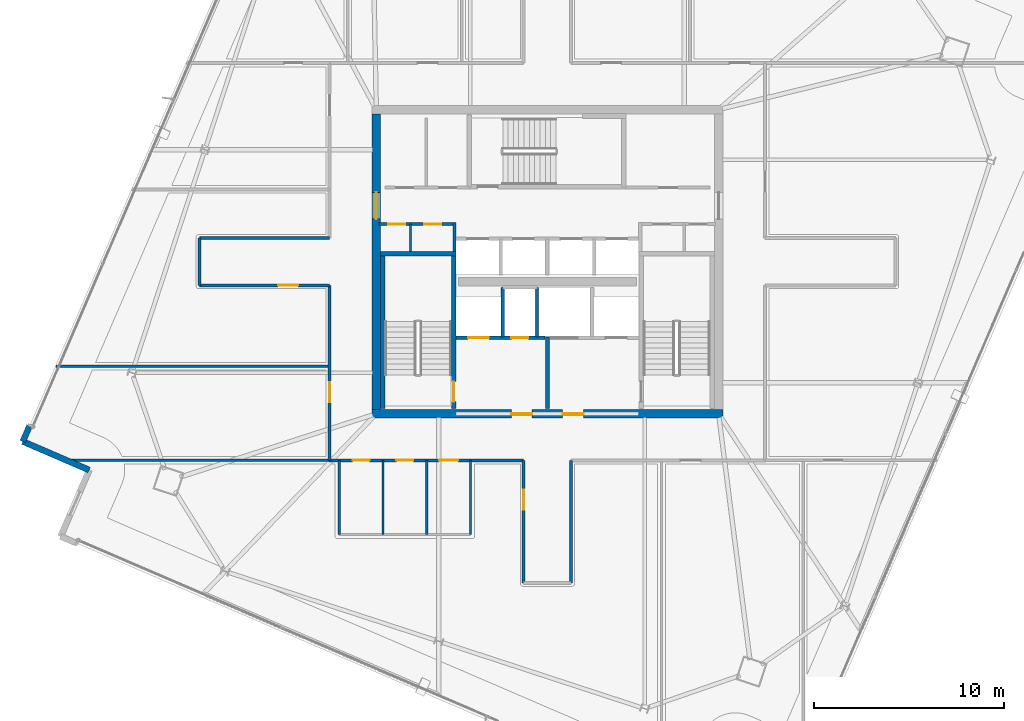
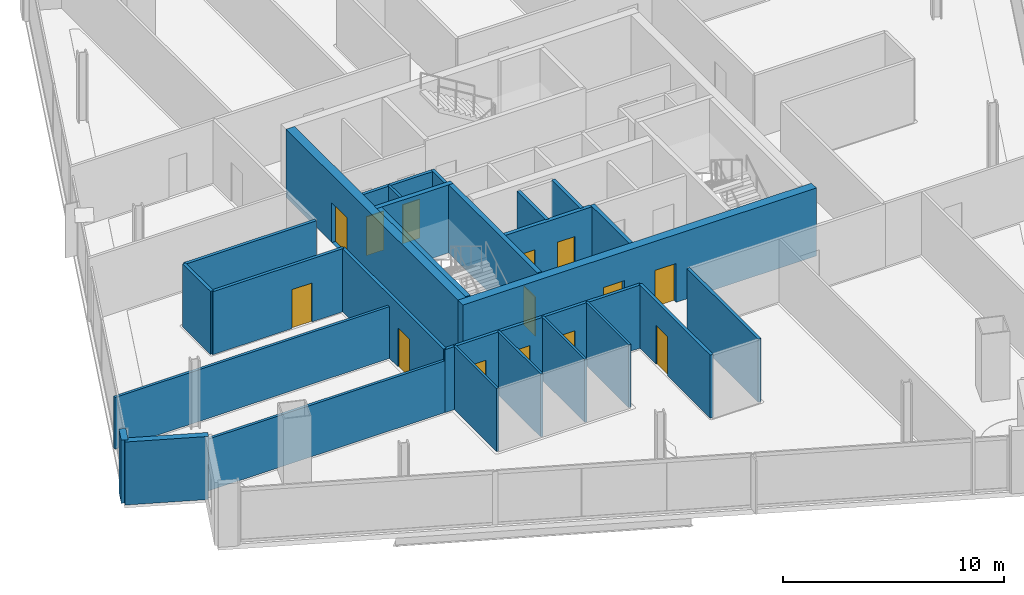
# One storey, part 20 of 28: 27 walls, 14 doors, 14 openings.
"""IFC4 building model written with IfcOpenShell, lengths in metres."""

from ifc_helpers import new_model, si_unit, direction, frame, frame_2d, origin, place, context, subcontext, project, spatial, rectangle, extrude, material, layer, layer_set, type_object, element, fill, save


model = new_model("IFC4")

# Units and contexts
model_context = context("Model", 3, precision=1e-05, world=origin(), true_north=direction((0.0, 1.0)))
body_context = subcontext(model_context, "Body", "Model", "MODEL_VIEW")
ifc_project = project(units=[si_unit("LENGTHUNIT", "METRE"), si_unit("AREAUNIT", "SQUARE_METRE"), si_unit("VOLUMEUNIT", "CUBIC_METRE"), si_unit("PLANEANGLEUNIT", "RADIAN"), si_unit("MASSUNIT", "GRAM", prefix="KILO")], contexts=[model_context])

# Site, building, storey
site_placement = place(None, origin())
site = spatial("IfcSite", under=ifc_project, at=site_placement, CompositionType="ELEMENT")
building_placement = place(site_placement, origin())
building = spatial("IfcBuilding", under=site, at=building_placement, Name="Haldenkirk Collegiate Tower", CompositionType="ELEMENT")
storey_placement = place(building_placement, frame((0.0, 0.0, 252.449951171875)))
storey = spatial("IfcBuildingStorey", under=building, at=storey_placement, Name="L63", CompositionType="ELEMENT", Elevation=252.449951171875)

# Wall, openings, doors
ifc_material_1 = material(Name="Concrete f'c 55 MPa", Category="concrete")
ifc_layer_1 = layer(ifc_material_1, 0.449951171875)
ifc_layer_set_1 = layer_set([ifc_layer_1], Name="Concrete f'c 55 MPa")
wall_type_1 = type_object("IfcWallType", Name="WL-CORE-450", PredefinedType="SHEAR", material=ifc_layer_set_1)
wall_1_placement = place(storey_placement, frame((26.77490234375, 18.0, 0.0), z_axis=(0.0, 0.0, 1.0), x_axis=(1.0, 0.0, 0.0)))
wall_1 = element("IfcWall", 1, at=wall_1_placement, inside=storey, type_object=wall_type_1, Name="L63 central core shear wall S", PredefinedType="SHEAR", context=body_context, shape_type="SweptSolid", body=[
    extrude(rectangle(XDim=18.4501953125, YDim=0.449951171875, at=frame_2d((9.22509765625, 0.0))), origin(), (0.0, 0.0, 1.0), 3.75),
])
opening_1_placement = place(wall_1_placement, frame((7.324951171875, 0.0, 0.0)))
opening_1 = element("IfcOpeningElement", 2, at=opening_1_placement, cuts=wall_1, Name="Opening D-02", PredefinedType="OPENING", context=body_context, shape_type="SweptSolid", body=[
    extrude(rectangle(XDim=1.10009765625, YDim=2.14990234375, at=frame_2d((0.550048828125, 1.074951171875))), frame((0.0, 0.23486328125, 0.0), z_axis=(0.0, -1.0, 0.0), x_axis=(1.0, 0.0, 0.0)), (0.0, 0.0, 1.0), 0.469970703125),
])
opening_2_placement = place(wall_1_placement, frame((10.02490234375, 0.0, 0.0)))
opening_2 = element("IfcOpeningElement", 3, at=opening_2_placement, cuts=wall_1, Name="Opening D-02", PredefinedType="OPENING", context=body_context, shape_type="SweptSolid", body=[
    extrude(rectangle(XDim=1.10009765625, YDim=2.14990234375, at=frame_2d((0.550048828125, 1.074951171875))), frame((0.0, 0.23486328125, 0.0), z_axis=(0.0, -1.0, 0.0), x_axis=(1.0, 0.0, 0.0)), (0.0, 0.0, 1.0), 0.469970703125),
])
ifc_material_2 = material(Name="Galvanized fire-rated hollow steel door", Category="steel")
ifc_layer_2 = layer(ifc_material_2, 0.06005859375)
ifc_layer_set_2 = layer_set([ifc_layer_2], Name="Galvanized fire-rated hollow steel door")
door_type_1 = type_object("IfcDoorType", Name="DR-STAIR-FD90-1100", OperationType="NOTDEFINED", PredefinedType="DOOR", material=ifc_layer_set_2)
door_1_placement = place(opening_1_placement, origin())
door_1 = element("IfcDoor", 4, at=door_1_placement, inside=storey, type_object=door_type_1, Name="L63 Firefighting Lobby 1 door", OperationType="SINGLE_SWING_LEFT", OverallHeight=2.14990234375, OverallWidth=1.10009765625, PredefinedType="DOOR", context=body_context, shape_type="SweptSolid", body=[
    extrude(rectangle(XDim=1.10009765625, YDim=2.14990234375, at=frame_2d((0.550048828125, 1.074951171875))), frame((0.0, 0.02490234375, 0.0), z_axis=(0.0, -1.0, 0.0), x_axis=(1.0, 0.0, 0.0)), (0.0, 0.0, 1.0), 0.050048828125),
])
fill(opening_1, door_1)
door_2_placement = place(opening_2_placement, origin())
door_2 = element("IfcDoor", 5, at=door_2_placement, inside=storey, type_object=door_type_1, Name="L63 Firefighting Lobby 2 door", OperationType="SINGLE_SWING_RIGHT", OverallHeight=2.14990234375, OverallWidth=1.10009765625, PredefinedType="DOOR", context=body_context, shape_type="SweptSolid", body=[
    extrude(rectangle(XDim=1.10009765625, YDim=2.14990234375, at=frame_2d((0.550048828125, 1.074951171875))), frame((0.0, 0.02490234375, 0.0), z_axis=(0.0, -1.0, 0.0), x_axis=(1.0, 0.0, 0.0)), (0.0, 0.0, 1.0), 0.050048828125),
])
fill(opening_2, door_2)

# Wall, opening, door
wall_2_placement = place(storey_placement, frame((27.0, 18.22509765625, 0.0), z_axis=(0.0, 0.0, 1.0), x_axis=(0.0, 1.0, 0.0)))
wall_2 = element("IfcWall", 6, at=wall_2_placement, inside=storey, type_object=wall_type_1, Name="L63 central core shear wall W", PredefinedType="SHEAR", context=body_context, shape_type="SweptSolid", body=[
    extrude(rectangle(XDim=15.5498046875, YDim=0.449951171875, at=frame_2d((7.77490234375, 0.0))), origin(), (0.0, 0.0, 1.0), 3.75),
])
opening_3_placement = place(wall_2_placement, frame((10.014892578125, 0.0, 0.0)))
opening_3 = element("IfcOpeningElement", 7, at=opening_3_placement, cuts=wall_2, Name="Opening D-03", PredefinedType="OPENING", context=body_context, shape_type="SweptSolid", body=[
    extrude(rectangle(XDim=1.39990234375, YDim=2.199951171875, at=frame_2d((0.699951171875, 1.10009765625))), frame((0.0, 0.23486328125, 0.0), z_axis=(0.0, -1.0, 0.0), x_axis=(1.0, 0.0, 0.0)), (0.0, 0.0, 1.0), 0.469970703125),
])
ifc_layer_3 = layer(ifc_material_2, 0.06005859375)
ifc_layer_set_3 = layer_set([ifc_layer_3], Name="Galvanized fire-rated hollow steel door")
door_type_2 = type_object("IfcDoorType", Name="DR-LOBBY-FD90-1400", OperationType="NOTDEFINED", PredefinedType="DOOR", material=ifc_layer_set_3)
door_3_placement = place(opening_3_placement, origin())
door_3 = element("IfcDoor", 8, at=door_3_placement, inside=storey, type_object=door_type_2, Name="L63 west lift lobby portal", OperationType="DOUBLE_DOOR_SINGLE_SWING", OverallHeight=2.199951171875, OverallWidth=1.39990234375, PredefinedType="DOOR", context=body_context, shape_type="SweptSolid", body=[
    extrude(rectangle(XDim=1.39990234375, YDim=2.199951171875, at=frame_2d((0.699951171875, 1.10009765625))), frame((0.0, 0.02490234375, 0.0), z_axis=(0.0, -1.0, 0.0), x_axis=(1.0, 0.0, 0.0)), (0.0, 0.0, 1.0), 0.050048828125),
])
fill(opening_3, door_3)

# Walls
ifc_material_3 = material(Name="Precast concrete f'c 40 MPa", Category="concrete")
ifc_layer_4 = layer(ifc_material_3, 0.320068359375)
ifc_layer_set_4 = layer_set([ifc_layer_4], Name="Precast concrete f'c 40 MPa")
wall_type_2 = type_object("IfcWallType", Name="WL-EXT-TWR-320", PredefinedType="STANDARD", material=ifc_layer_set_4)
wall_3_placement = place(storey_placement, frame((8.408935546875, 16.542236328125, 0.0), z_axis=(0.0, 0.0, 1.0), x_axis=(0.395490132526, 0.91847022547, 0.0)))
element("IfcWall", 9, at=wall_3_placement, inside=storey, type_object=wall_type_2, Name="L63 precast corner pier NL", PredefinedType="STANDARD", context=body_context, shape_type="SweptSolid", body=[
    extrude(rectangle(XDim=0.900146484375, YDim=0.320068359375, at=frame_2d((0.4501953125, 0.0))), origin(), (0.0, 0.0, 1.0), 3.47998046875),
])
wall_4_placement = place(storey_placement, frame((11.89892578125, 15.039306640625, 0.0), z_axis=(0.0, 0.0, 1.0), x_axis=(-0.918455708876, 0.395523843571, 0.0)))
element("IfcWall", 10, at=wall_4_placement, inside=storey, type_object=wall_type_2, Name="L63 bronze precast notch wall 08", PredefinedType="STANDARD", context=body_context, shape_type="SweptSolid", body=[
    extrude(rectangle(XDim=3.7998046875, YDim=0.320068359375, at=frame_2d((1.89990234375, 0.0))), origin(), (0.0, 0.0, 1.0), 3.47998046875),
])

# Wall, openings, doors
ifc_material_4 = material(Name="Acoustic fire-rated gypsum partition", Category="concrete")
ifc_layer_5 = layer(ifc_material_4, 0.159912109375)
ifc_layer_set_5 = layer_set([ifc_layer_5], Name="Acoustic fire-rated gypsum partition")
wall_type_3 = type_object("IfcWallType", Name="WL-INT-CORR-160", PredefinedType="PARTITIONING", material=ifc_layer_set_5)
wall_5_placement = place(storey_placement, frame((27.14990234375, 27.97998046875, 0.0), z_axis=(0.0, 0.0, 1.0), x_axis=(1.0, 0.0, 0.0)))
wall_5 = element("IfcWall", 11, at=wall_5_placement, inside=storey, type_object=wall_type_3, Name="L63 interior partition IW-L63-VCSW-N", PredefinedType="PARTITIONING", context=body_context, shape_type="SweptSolid", body=[
    extrude(rectangle(XDim=4.050048828125, YDim=0.159912109375, at=frame_2d((2.02490234375, 0.0))), origin(), (0.0, 0.0, 1.0), 3.47998046875),
])
opening_4_placement = place(wall_5_placement, frame((0.469970703125, 0.0, 0.0)))
opening_4 = element("IfcOpeningElement", 12, at=opening_4_placement, cuts=wall_5, Name="Opening D-11", PredefinedType="OPENING", context=body_context, shape_type="SweptSolid", body=[
    extrude(rectangle(XDim=0.89990234375, YDim=2.14990234375, at=frame_2d((0.449951171875, 1.074951171875))), frame((0.0, 0.08984375, 0.0), z_axis=(0.0, -1.0, 0.0), x_axis=(1.0, 0.0, 0.0)), (0.0, 0.0, 1.0), 0.179931640625),
])
opening_5_placement = place(wall_5_placement, frame((2.360107421875, 0.0, 0.0)))
opening_5 = element("IfcOpeningElement", 13, at=opening_5_placement, cuts=wall_5, Name="Opening D-11", PredefinedType="OPENING", context=body_context, shape_type="SweptSolid", body=[
    extrude(rectangle(XDim=0.89990234375, YDim=2.14990234375, at=frame_2d((0.449951171875, 1.074951171875))), frame((0.0, 0.08984375, 0.0), z_axis=(0.0, -1.0, 0.0), x_axis=(1.0, 0.0, 0.0)), (0.0, 0.0, 1.0), 0.179931640625),
])
ifc_material_5 = material(Name="Solid-core architectural oak fire door", Category="wood")
ifc_layer_6 = layer(ifc_material_5, 0.06005859375)
ifc_layer_set_6 = layer_set([ifc_layer_6], Name="Solid-core architectural oak fire door")
door_type_3 = type_object("IfcDoorType", Name="DR-INT-FD60-900", OperationType="NOTDEFINED", PredefinedType="DOOR", material=ifc_layer_set_6)
door_4_placement = place(opening_4_placement, origin())
door_4 = element("IfcDoor", 14, at=door_4_placement, inside=storey, type_object=door_type_3, Name="L63 core AV closet door", OperationType="SINGLE_SWING_LEFT", OverallHeight=2.14990234375, OverallWidth=0.89990234375, PredefinedType="DOOR", context=body_context, shape_type="SweptSolid", body=[
    extrude(rectangle(XDim=0.89990234375, YDim=2.14990234375, at=frame_2d((0.449951171875, 1.074951171875))), frame((0.0, 0.02490234375, 0.0), z_axis=(0.0, -1.0, 0.0), x_axis=(1.0, 0.0, 0.0)), (0.0, 0.0, 1.0), 0.050048828125),
])
fill(opening_4, door_4)
door_5_placement = place(opening_5_placement, origin())
door_5 = element("IfcDoor", 15, at=door_5_placement, inside=storey, type_object=door_type_3, Name="L63 core supply closet door", OperationType="SINGLE_SWING_RIGHT", OverallHeight=2.14990234375, OverallWidth=0.89990234375, PredefinedType="DOOR", context=body_context, shape_type="SweptSolid", body=[
    extrude(rectangle(XDim=0.89990234375, YDim=2.14990234375, at=frame_2d((0.449951171875, 1.074951171875))), frame((0.0, 0.02490234375, 0.0), z_axis=(0.0, -1.0, 0.0), x_axis=(1.0, 0.0, 0.0)), (0.0, 0.0, 1.0), 0.050048828125),
])
fill(opening_5, door_5)

# Wall
wall_6_placement = place(storey_placement, frame((31.1201171875, 26.5400390625, 0.0), z_axis=(0.0, 0.0, 1.0), x_axis=(0.0, 1.0, 0.0)))
element("IfcWall", 16, at=wall_6_placement, inside=storey, type_object=wall_type_3, Name="L63 interior partition IW-L63-VCSW-E", PredefinedType="PARTITIONING", context=body_context, shape_type="SweptSolid", body=[
    extrude(rectangle(XDim=1.510009765625, YDim=0.159912109375, at=frame_2d((0.7548828125, 0.0))), origin(), (0.0, 0.0, 1.0), 3.47998046875),
])

# Wall, openings, doors
wall_7_placement = place(storey_placement, frame((24.5, 15.550048828125, 0.0), z_axis=(0.0, 0.0, 1.0), x_axis=(1.0, 0.0, 0.0)))
wall_7 = element("IfcWall", 17, at=wall_7_placement, inside=storey, type_object=wall_type_3, Name="L63 interior partition IW-L63-CS1", PredefinedType="PARTITIONING", context=body_context, shape_type="SweptSolid", body=[
    extrude(rectangle(XDim=10.25, YDim=0.159912109375, at=frame_2d((5.125, 0.0))), origin(), (0.0, 0.0, 1.0), 3.47998046875),
])
opening_6_placement = place(wall_7_placement, frame((1.25, 0.0, 0.0)))
opening_6 = element("IfcOpeningElement", 18, at=opening_6_placement, cuts=wall_7, Name="Opening D-13", PredefinedType="OPENING", context=body_context, shape_type="SweptSolid", body=[
    extrude(rectangle(XDim=0.89990234375, YDim=2.14990234375, at=frame_2d((0.449951171875, 1.074951171875))), frame((0.0, 0.08984375, 0.0), z_axis=(0.0, -1.0, 0.0), x_axis=(1.0, 0.0, 0.0)), (0.0, 0.0, 1.0), 0.179931640625),
])
opening_7_placement = place(wall_7_placement, frame((3.550048828125, 0.0, 0.0)))
opening_7 = element("IfcOpeningElement", 19, at=opening_7_placement, cuts=wall_7, Name="Opening D-13", PredefinedType="OPENING", context=body_context, shape_type="SweptSolid", body=[
    extrude(rectangle(XDim=0.89990234375, YDim=2.14990234375, at=frame_2d((0.449951171875, 1.074951171875))), frame((0.0, 0.08984375, 0.0), z_axis=(0.0, -1.0, 0.0), x_axis=(1.0, 0.0, 0.0)), (0.0, 0.0, 1.0), 0.179931640625),
])
opening_8_placement = place(wall_7_placement, frame((5.800048828125, 0.0, 0.0)))
opening_8 = element("IfcOpeningElement", 20, at=opening_8_placement, cuts=wall_7, Name="Opening D-14", PredefinedType="OPENING", context=body_context, shape_type="SweptSolid", body=[
    extrude(rectangle(XDim=1.0, YDim=2.14990234375, at=frame_2d((0.5, 1.074951171875))), frame((0.0, 0.08984375, 0.0), z_axis=(0.0, -1.0, 0.0), x_axis=(1.0, 0.0, 0.0)), (0.0, 0.0, 1.0), 0.179931640625),
])
ifc_layer_7 = layer(ifc_material_5, 0.06005859375)
ifc_layer_set_7 = layer_set([ifc_layer_7], Name="Solid-core architectural oak fire door")
door_type_4 = type_object("IfcDoorType", Name="DR-INT-ACC-1000", OperationType="NOTDEFINED", PredefinedType="DOOR", material=ifc_layer_set_7)
door_6_placement = place(opening_8_placement, origin())
door_6 = element("IfcDoor", 21, at=door_6_placement, inside=storey, type_object=door_type_4, Name="L63 Accessible WC door", OperationType="SINGLE_SWING_RIGHT", OverallHeight=2.14990234375, OverallWidth=1.0, PredefinedType="DOOR", context=body_context, shape_type="SweptSolid", body=[
    extrude(rectangle(XDim=1.0, YDim=2.14990234375, at=frame_2d((0.5, 1.074951171875))), frame((0.0, 0.02490234375, 0.0), z_axis=(0.0, -1.0, 0.0), x_axis=(1.0, 0.0, 0.0)), (0.0, 0.0, 1.0), 0.050048828125),
])
fill(opening_8, door_6)
ifc_layer_8 = layer(ifc_material_5, 0.06005859375)
ifc_layer_set_8 = layer_set([ifc_layer_8], Name="Solid-core architectural oak fire door")
door_type_5 = type_object("IfcDoorType", Name="DR-INT-STD-900", OperationType="NOTDEFINED", PredefinedType="DOOR", material=ifc_layer_set_8)
door_7_placement = place(opening_6_placement, origin())
door_7 = element("IfcDoor", 22, at=door_7_placement, inside=storey, type_object=door_type_5, Name="L63 Male WC door", OperationType="SINGLE_SWING_RIGHT", OverallHeight=2.14990234375, OverallWidth=0.89990234375, PredefinedType="DOOR", context=body_context, shape_type="SweptSolid", body=[
    extrude(rectangle(XDim=0.89990234375, YDim=2.14990234375, at=frame_2d((0.449951171875, 1.074951171875))), frame((0.0, 0.02490234375, 0.0), z_axis=(0.0, -1.0, 0.0), x_axis=(1.0, 0.0, 0.0)), (0.0, 0.0, 1.0), 0.050048828125),
])
fill(opening_6, door_7)
door_8_placement = place(opening_7_placement, origin())
door_8 = element("IfcDoor", 23, at=door_8_placement, inside=storey, type_object=door_type_5, Name="L63 Female WC door", OperationType="SINGLE_SWING_LEFT", OverallHeight=2.14990234375, OverallWidth=0.89990234375, PredefinedType="DOOR", context=body_context, shape_type="SweptSolid", body=[
    extrude(rectangle(XDim=0.89990234375, YDim=2.14990234375, at=frame_2d((0.449951171875, 1.074951171875))), frame((0.0, 0.02490234375, 0.0), z_axis=(0.0, -1.0, 0.0), x_axis=(1.0, 0.0, 0.0)), (0.0, 0.0, 1.0), 0.050048828125),
])
fill(opening_7, door_8)

# Wall, opening, door
wall_8_placement = place(storey_placement, frame((24.550048828125, 15.550048828125, 0.0), z_axis=(0.0, 0.0, 1.0), x_axis=(0.0, 1.0, 0.0)))
wall_8 = element("IfcWall", 24, at=wall_8_placement, inside=storey, type_object=wall_type_3, Name="L63 interior partition IW-L63-CW1", PredefinedType="PARTITIONING", context=body_context, shape_type="SweptSolid", body=[
    extrude(rectangle(XDim=9.199951171875, YDim=0.159912109375, at=frame_2d((4.60009765625, 0.0))), origin(), (0.0, 0.0, 1.0), 3.47998046875),
])
opening_9_placement = place(wall_8_placement, frame((3.06689453125, 0.0, 0.0)))
opening_9 = element("IfcOpeningElement", 25, at=opening_9_placement, cuts=wall_8, Name="Opening D-09", PredefinedType="OPENING", context=body_context, shape_type="SweptSolid", body=[
    extrude(rectangle(XDim=1.050048828125, YDim=2.14990234375, at=frame_2d((0.52490234375, 1.074951171875))), frame((0.0, 0.08984375, 0.0), z_axis=(0.0, -1.0, 0.0), x_axis=(1.0, 0.0, 0.0)), (0.0, 0.0, 1.0), 0.179931640625),
])
ifc_layer_9 = layer(ifc_material_5, 0.06005859375)
ifc_layer_set_9 = layer_set([ifc_layer_9], Name="Solid-core architectural oak fire door")
door_type_6 = type_object("IfcDoorType", Name="DR-INT-FD60-1050", OperationType="NOTDEFINED", PredefinedType="DOOR", material=ifc_layer_set_9)
door_9_placement = place(opening_9_placement, origin())
door_9 = element("IfcDoor", 26, at=door_9_placement, inside=storey, type_object=door_type_6, Name="L63 Colloquium Conference Room 8 door", OperationType="SINGLE_SWING_RIGHT", OverallHeight=2.14990234375, OverallWidth=1.050048828125, PredefinedType="DOOR", context=body_context, shape_type="SweptSolid", body=[
    extrude(rectangle(XDim=1.050048828125, YDim=2.14990234375, at=frame_2d((0.52490234375, 1.074951171875))), frame((0.0, 0.02490234375, 0.0), z_axis=(0.0, -1.0, 0.0), x_axis=(1.0, 0.0, 0.0)), (0.0, 0.0, 1.0), 0.050048828125),
])
fill(opening_9, door_9)

wall_9_placement = place(storey_placement, frame((34.75, 9.10009765625, 0.0), z_axis=(0.0, 0.0, 1.0), x_axis=(0.0, 1.0, 0.0)))
wall_9 = element("IfcWall", 27, at=wall_9_placement, inside=storey, type_object=wall_type_3, Name="L63 interior partition IW-L63-SPW", PredefinedType="PARTITIONING", context=body_context, shape_type="SweptSolid", body=[
    extrude(rectangle(XDim=6.449951171875, YDim=0.159912109375, at=frame_2d((3.22509765625, 0.0))), origin(), (0.0, 0.0, 1.0), 3.47998046875),
])
opening_10_placement = place(wall_9_placement, frame((3.861083984375, 0.0, 0.0)))
opening_10 = element("IfcOpeningElement", 28, at=opening_10_placement, cuts=wall_9, Name="Opening D-09", PredefinedType="OPENING", context=body_context, shape_type="SweptSolid", body=[
    extrude(rectangle(XDim=1.050048828125, YDim=2.14990234375, at=frame_2d((0.52490234375, 1.074951171875))), frame((0.0, 0.08984375, 0.0), z_axis=(0.0, -1.0, 0.0), x_axis=(1.0, 0.0, 0.0)), (0.0, 0.0, 1.0), 0.179931640625),
])
door_10_placement = place(opening_10_placement, origin())
door_10 = element("IfcDoor", 29, at=door_10_placement, inside=storey, type_object=door_type_6, Name="L63 Graduate Seminar Room 1 door", OperationType="SINGLE_SWING_LEFT", OverallHeight=2.14990234375, OverallWidth=1.050048828125, PredefinedType="DOOR", context=body_context, shape_type="SweptSolid", body=[
    extrude(rectangle(XDim=1.050048828125, YDim=2.14990234375, at=frame_2d((0.52490234375, 1.074951171875))), frame((0.0, 0.02490234375, 0.0), z_axis=(0.0, -1.0, 0.0), x_axis=(1.0, 0.0, 0.0)), (0.0, 0.0, 1.0), 0.050048828125),
])
fill(opening_10, door_10)

# Wall
wall_10_placement = place(storey_placement, frame((37.25, 9.10009765625, 0.0), z_axis=(0.0, 0.0, 1.0), x_axis=(0.0, 1.0, 0.0)))
element("IfcWall", 30, at=wall_10_placement, inside=storey, type_object=wall_type_3, Name="L63 interior partition IW-L63-SPE", PredefinedType="PARTITIONING", context=body_context, shape_type="SweptSolid", body=[
    extrude(rectangle(XDim=6.449951171875, YDim=0.159912109375, at=frame_2d((3.22509765625, 0.0))), origin(), (0.0, 0.0, 1.0), 3.47998046875),
])

# Wall, opening, door
wall_11_placement = place(storey_placement, frame((17.699951171875, 24.75, 0.0), z_axis=(0.0, 0.0, 1.0), x_axis=(1.0, 0.0, 0.0)))
wall_11 = element("IfcWall", 31, at=wall_11_placement, inside=storey, type_object=wall_type_3, Name="L63 interior partition IW-L63-WPS", PredefinedType="PARTITIONING", context=body_context, shape_type="SweptSolid", body=[
    extrude(rectangle(XDim=6.85009765625, YDim=0.159912109375, at=frame_2d((3.425048828125, 0.0))), origin(), (0.0, 0.0, 1.0), 3.47998046875),
])
opening_11_placement = place(wall_11_placement, frame((4.133056640625, 0.0, 0.0)))
opening_11 = element("IfcOpeningElement", 32, at=opening_11_placement, cuts=wall_11, Name="Opening D-09", PredefinedType="OPENING", context=body_context, shape_type="SweptSolid", body=[
    extrude(rectangle(XDim=1.050048828125, YDim=2.14990234375, at=frame_2d((0.52490234375, 1.074951171875))), frame((0.0, 0.08984375, 0.0), z_axis=(0.0, -1.0, 0.0), x_axis=(1.0, 0.0, 0.0)), (0.0, 0.0, 1.0), 0.179931640625),
])
door_11_placement = place(opening_11_placement, origin())
door_11 = element("IfcDoor", 33, at=door_11_placement, inside=storey, type_object=door_type_6, Name="L63 Tutorial Seminar Room 9 door", OperationType="SINGLE_SWING_LEFT", OverallHeight=2.14990234375, OverallWidth=1.050048828125, PredefinedType="DOOR", context=body_context, shape_type="SweptSolid", body=[
    extrude(rectangle(XDim=1.050048828125, YDim=2.14990234375, at=frame_2d((0.52490234375, 1.074951171875))), frame((0.0, 0.02490234375, 0.0), z_axis=(0.0, -1.0, 0.0), x_axis=(1.0, 0.0, 0.0)), (0.0, 0.0, 1.0), 0.050048828125),
])
fill(opening_11, door_11)

# Walls
wall_12_placement = place(storey_placement, frame((17.699951171875, 27.25, 0.0), z_axis=(0.0, 0.0, 1.0), x_axis=(1.0, 0.0, 0.0)))
element("IfcWall", 34, at=wall_12_placement, inside=storey, type_object=wall_type_3, Name="L63 interior partition IW-L63-WPN", PredefinedType="PARTITIONING", context=body_context, shape_type="SweptSolid", body=[
    extrude(rectangle(XDim=6.85009765625, YDim=0.159912109375, at=frame_2d((3.425048828125, 0.0))), origin(), (0.0, 0.0, 1.0), 3.47998046875),
])
wall_13_placement = place(storey_placement, frame((17.699951171875, 24.75, 0.0), z_axis=(0.0, 0.0, 1.0), x_axis=(0.0, 1.0, 0.0)))
element("IfcWall", 35, at=wall_13_placement, inside=storey, type_object=wall_type_3, Name="L63 interior partition IW-L63-WPW", PredefinedType="PARTITIONING", context=body_context, shape_type="SweptSolid", body=[
    extrude(rectangle(XDim=2.5, YDim=0.159912109375, at=frame_2d((1.25, 0.0))), origin(), (0.0, 0.0, 1.0), 3.47998046875),
])
ifc_layer_10 = layer(ifc_material_4, 0.139892578125)
ifc_layer_set_10 = layer_set([ifc_layer_10], Name="Acoustic fire-rated gypsum partition")
wall_type_4 = type_object("IfcWallType", Name="WL-INT-DIV-140", PredefinedType="PARTITIONING", material=ifc_layer_set_10)
wall_14_placement = place(storey_placement, frame((10.81396484375, 15.550048828125, 0.0), z_axis=(0.0, 0.0, 1.0), x_axis=(1.0, 0.0, 0.0)))
element("IfcWall", 36, at=wall_14_placement, inside=storey, type_object=wall_type_4, Name="L63 interior partition IW-L63-BWS", PredefinedType="PARTITIONING", context=body_context, shape_type="SweptSolid", body=[
    extrude(rectangle(XDim=13.736083984375, YDim=0.139892578125, at=frame_2d((6.8681640625, 0.0))), origin(), (0.0, 0.0, 1.0), 2.858154296875),
])
wall_15_placement = place(storey_placement, frame((10.156982421875, 20.5, 0.0), z_axis=(0.0, 0.0, 1.0), x_axis=(1.0, 0.0, 0.0)))
element("IfcWall", 37, at=wall_15_placement, inside=storey, type_object=wall_type_4, Name="L63 interior partition IW-L63-RW1", PredefinedType="PARTITIONING", context=body_context, shape_type="SweptSolid", body=[
    extrude(rectangle(XDim=14.39306640625, YDim=0.139892578125, at=frame_2d((7.196533203125, 0.0))), origin(), (0.0, 0.0, 1.0), 2.858154296875),
])
ifc_material_6 = material(Name="Fire-rated gypsum shaftboard assembly", Category="concrete")
ifc_layer_11 = layer(ifc_material_6, 0.179931640625)
ifc_layer_set_11 = layer_set([ifc_layer_11], Name="Fire-rated gypsum shaftboard assembly")
wall_type_5 = type_object("IfcWallType", Name="WL-INT-SHAFT-180", PredefinedType="PARTITIONING", material=ifc_layer_set_11)
for number, where, z_axis, x_axis, name in (
    (38, (33.64990234375, 22.050048828125, 0.0), (0.0, 0.0, 1.0), (0.0, 1.0, 0.0), "L63 interior partition IW-L63-FL1E"),
    (39, (35.449951171875, 22.050048828125, 0.0), (0.0, 0.0, 1.0), (0.0, 1.0, 0.0), "L63 interior partition IW-L63-GL1W"),
):
    element("IfcWall", number, at=place(storey_placement, frame(where, z_axis=z_axis, x_axis=x_axis)), inside=storey, type_object=wall_type_5, Name=name, PredefinedType="PARTITIONING", context=body_context, shape_type="SweptSolid", body=[
        extrude(rectangle(XDim=2.599853515625, YDim=0.179931640625, at=frame_2d((1.2998046875, 0.0))), origin(), (0.0, 0.0, 1.0), 3.47998046875),
    ])
ifc_layer_12 = layer(ifc_material_6, 0.199951171875)
ifc_layer_set_12 = layer_set([ifc_layer_12], Name="Fire-rated gypsum shaftboard assembly")
wall_type_6 = type_object("IfcWallType", Name="WL-INT-SHAFT-200", PredefinedType="PARTITIONING", material=ifc_layer_set_12)
wall_16_placement = place(storey_placement, frame((36.0, 18.280029296875, 0.0), z_axis=(0.0, 0.0, 1.0), x_axis=(0.0, 1.0, 0.0)))
element("IfcWall", 40, at=wall_16_placement, inside=storey, type_object=wall_type_6, Name="L63 interior partition IW-L63-FFLM", PredefinedType="PARTITIONING", context=body_context, shape_type="SweptSolid", body=[
    extrude(rectangle(XDim=3.77001953125, YDim=0.199951171875, at=frame_2d((1.885009765625, 0.0))), origin(), (0.0, 0.0, 1.0), 3.47998046875),
])

# Wall, openings, doors
wall_17_placement = place(storey_placement, frame((31.18994140625, 22.0, 0.0), z_axis=(0.0, 0.0, 1.0), x_axis=(1.0, 0.0, 0.0)))
wall_17 = element("IfcWall", 41, at=wall_17_placement, inside=storey, type_object=wall_type_6, Name="L63 interior partition IW-L63-FFL1N", PredefinedType="PARTITIONING", context=body_context, shape_type="SweptSolid", body=[
    extrude(rectangle(XDim=4.68994140625, YDim=0.199951171875, at=frame_2d((2.344970703125, 0.0))), origin(), (0.0, 0.0, 1.0), 3.47998046875),
])
opening_12_placement = place(wall_17_placement, frame((2.909912109375, 0.0, 0.0)))
opening_12 = element("IfcOpeningElement", 42, at=opening_12_placement, cuts=wall_17, Name="Opening D-06", PredefinedType="OPENING", context=body_context, shape_type="SweptSolid", body=[
    extrude(rectangle(XDim=0.89990234375, YDim=2.14990234375, at=frame_2d((0.449951171875, 1.074951171875))), frame((0.0, 0.10986328125, 0.0), z_axis=(0.0, -1.0, 0.0), x_axis=(1.0, 0.0, 0.0)), (0.0, 0.0, 1.0), 0.219970703125),
])
opening_13_placement = place(wall_17_placement, frame((0.635009765625, 0.0, 0.0)))
opening_13 = element("IfcOpeningElement", 43, at=opening_13_placement, cuts=wall_17, Name="Opening LD-12", PredefinedType="OPENING", context=body_context, shape_type="SweptSolid", body=[
    extrude(rectangle(XDim=1.10009765625, YDim=2.14990234375, at=frame_2d((0.550048828125, 1.074951171875))), frame((0.0, 0.10986328125, 0.0), z_axis=(0.0, -1.0, 0.0), x_axis=(1.0, 0.0, 0.0)), (0.0, 0.0, 1.0), 0.219970703125),
])
ifc_layer_13 = layer(ifc_material_2, 0.06005859375)
ifc_layer_set_13 = layer_set([ifc_layer_13], Name="Galvanized fire-rated hollow steel door")
door_type_7 = type_object("IfcDoorType", Name="DR-INT-FD90-900", OperationType="NOTDEFINED", PredefinedType="DOOR", material=ifc_layer_set_13)
door_12_placement = place(opening_12_placement, origin())
door_12 = element("IfcDoor", 44, at=door_12_placement, inside=storey, type_object=door_type_7, Name="L63 electrical riser door", OperationType="SINGLE_SWING_LEFT", OverallHeight=2.14990234375, OverallWidth=0.89990234375, PredefinedType="DOOR", context=body_context, shape_type="SweptSolid", body=[
    extrude(rectangle(XDim=0.89990234375, YDim=2.14990234375, at=frame_2d((0.449951171875, 1.074951171875))), frame((0.0, 0.02490234375, 0.0), z_axis=(0.0, -1.0, 0.0), x_axis=(1.0, 0.0, 0.0)), (0.0, 0.0, 1.0), 0.050048828125),
])
fill(opening_12, door_12)
ifc_material_7 = material(Name="Brushed architectural stainless steel", Category="steel")
ifc_layer_14 = layer(ifc_material_7, 0.06005859375)
ifc_layer_set_14 = layer_set([ifc_layer_14], Name="Brushed architectural stainless steel")
door_type_8 = type_object("IfcDoorType", Name="LD-FIRE-1100", OperationType="NOTDEFINED", PredefinedType="DOOR", material=ifc_layer_set_14)
door_13_placement = place(opening_13_placement, origin())
door_13 = element("IfcDoor", 45, at=door_13_placement, inside=storey, type_object=door_type_8, Name="L63 Elevator FL1 sliding landing door", OperationType="SLIDING_TO_LEFT", OverallHeight=2.14990234375, OverallWidth=1.10009765625, PredefinedType="DOOR", context=body_context, shape_type="SweptSolid", body=[
    extrude(rectangle(XDim=1.10009765625, YDim=2.14990234375, at=frame_2d((0.550048828125, 1.074951171875))), frame((0.0, 0.02490234375, 0.0), z_axis=(0.0, -1.0, 0.0), x_axis=(1.0, 0.0, 0.0)), (0.0, 0.0, 1.0), 0.050048828125),
])
fill(opening_13, door_13)

# Walls
ifc_layer_15 = layer(ifc_material_4, 0.1201171875)
ifc_layer_set_15 = layer_set([ifc_layer_15], Name="Acoustic fire-rated gypsum partition")
wall_type_7 = type_object("IfcWallType", Name="WL-INT-WET-120", PredefinedType="PARTITIONING", material=ifc_layer_set_15)
wall_18_placement = place(storey_placement, frame((28.800048828125, 26.5400390625, 0.0), z_axis=(0.0, 0.0, 1.0), x_axis=(0.0, 1.0, 0.0)))
element("IfcWall", 46, at=wall_18_placement, inside=storey, type_object=wall_type_7, Name="L63 interior partition IW-L63-VCSW-M", PredefinedType="PARTITIONING", context=body_context, shape_type="SweptSolid", body=[
    extrude(rectangle(XDim=1.43994140625, YDim=0.1201171875, at=frame_2d((0.719970703125, 0.0))), origin(), (0.0, 0.0, 1.0), 3.47998046875),
])
for number, where, z_axis, x_axis, name in (
    (47, (25.050048828125, 11.64990234375, 0.0), (0.0, 0.0, 1.0), (0.0, 1.0, 0.0), "L63 interior partition IW-L63-WCW"),
    (48, (27.35009765625, 11.64990234375, 0.0), (0.0, 0.0, 1.0), (0.0, 1.0, 0.0), "L63 interior partition IW-L63-WC1"),
    (49, (29.64990234375, 11.64990234375, 0.0), (0.0, 0.0, 1.0), (0.0, 1.0, 0.0), "L63 interior partition IW-L63-WC2"),
    (50, (31.949951171875, 11.64990234375, 0.0), (0.0, 0.0, 1.0), (0.0, 1.0, 0.0), "L63 interior partition IW-L63-WCE"),
):
    element("IfcWall", number, at=place(storey_placement, frame(where, z_axis=z_axis, x_axis=x_axis)), inside=storey, type_object=wall_type_7, Name=name, PredefinedType="PARTITIONING", context=body_context, shape_type="SweptSolid", body=[
        extrude(rectangle(XDim=3.900146484375, YDim=0.1201171875, at=frame_2d((1.9501953125, 0.0))), origin(), (0.0, 0.0, 1.0), 3.47998046875),
    ])

# Wall, opening, door
ifc_layer_16 = layer(ifc_material_1, 0.239990234375)
ifc_layer_set_16 = layer_set([ifc_layer_16], Name="Concrete f'c 55 MPa")
wall_type_8 = type_object("IfcWallType", Name="WL-SHAFT-240", PredefinedType="SHEAR", material=ifc_layer_set_16)
wall_19_placement = place(storey_placement, frame((31.070068359375, 18.280029296875, 0.0), z_axis=(0.0, 0.0, 1.0), x_axis=(0.0, 1.0, 0.0)))
wall_19 = element("IfcWall", 51, at=wall_19_placement, inside=storey, type_object=wall_type_8, Name="L63 stair shaft shear wall SW-L63-ST1E", PredefinedType="SHEAR", context=body_context, shape_type="SweptSolid", body=[
    extrude(rectangle(XDim=8.260009765625, YDim=0.239990234375, at=frame_2d((4.1298828125, 0.0))), origin(), (0.0, 0.0, 1.0), 3.75),
])
opening_14_placement = place(wall_19_placement, frame((0.364990234375, 0.0, 0.0)))
opening_14 = element("IfcOpeningElement", 52, at=opening_14_placement, cuts=wall_19, Name="Opening D-01", PredefinedType="OPENING", context=body_context, shape_type="SweptSolid", body=[
    extrude(rectangle(XDim=1.050048828125, YDim=2.14990234375, at=frame_2d((0.52490234375, 1.074951171875))), frame((0.0, 0.1298828125, 0.0), z_axis=(0.0, -1.0, 0.0), x_axis=(1.0, 0.0, 0.0)), (0.0, 0.0, 1.0), 0.260009765625),
])
ifc_layer_17 = layer(ifc_material_2, 0.06005859375)
ifc_layer_set_17 = layer_set([ifc_layer_17], Name="Galvanized fire-rated hollow steel door")
door_type_9 = type_object("IfcDoorType", Name="DR-STAIR-FD90-1050", OperationType="NOTDEFINED", PredefinedType="DOOR", material=ifc_layer_set_17)
door_14_placement = place(opening_14_placement, origin())
door_14 = element("IfcDoor", 53, at=door_14_placement, inside=storey, type_object=door_type_9, Name="L63 Stair 1 door", OperationType="SINGLE_SWING_LEFT", OverallHeight=2.14990234375, OverallWidth=1.050048828125, PredefinedType="DOOR", context=body_context, shape_type="SweptSolid", body=[
    extrude(rectangle(XDim=1.050048828125, YDim=2.14990234375, at=frame_2d((0.52490234375, 1.074951171875))), frame((0.0, 0.02490234375, 0.0), z_axis=(0.0, -1.0, 0.0), x_axis=(1.0, 0.0, 0.0)), (0.0, 0.0, 1.0), 0.050048828125),
])
fill(opening_14, door_14)

# Walls
wall_20_placement = place(storey_placement, frame((27.2099609375, 26.419921875, 0.0), z_axis=(0.0, 0.0, 1.0), x_axis=(1.0, 0.0, 0.0)))
element("IfcWall", 54, at=wall_20_placement, inside=storey, type_object=wall_type_8, Name="L63 stair shaft shear wall SW-L63-ST1N", PredefinedType="SHEAR", context=body_context, shape_type="SweptSolid", body=[
    extrude(rectangle(XDim=3.97998046875, YDim=0.239990234375, at=frame_2d((1.989990234375, 0.0))), origin(), (0.0, 0.0, 1.0), 3.75),
])
wall_21_placement = place(storey_placement, frame((27.330078125, 18.280029296875, 0.0), z_axis=(0.0, 0.0, 1.0), x_axis=(0.0, 1.0, 0.0)))
element("IfcWall", 55, at=wall_21_placement, inside=storey, type_object=wall_type_8, Name="L63 stair shaft shear wall SW-L63-ST1W", PredefinedType="SHEAR", context=body_context, shape_type="SweptSolid", body=[
    extrude(rectangle(XDim=8.260009765625, YDim=0.239990234375, at=frame_2d((4.1298828125, 0.0))), origin(), (0.0, 0.0, 1.0), 3.75),
])

save(model, "model.ifc")
